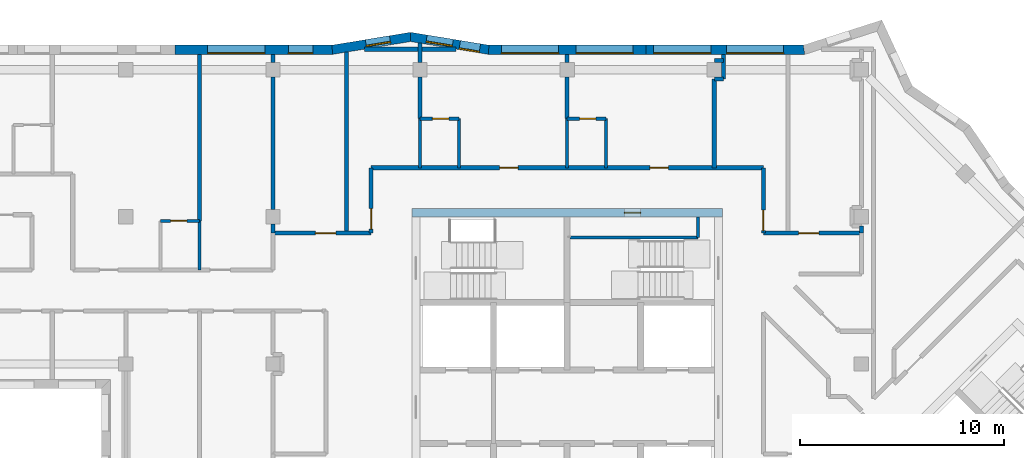
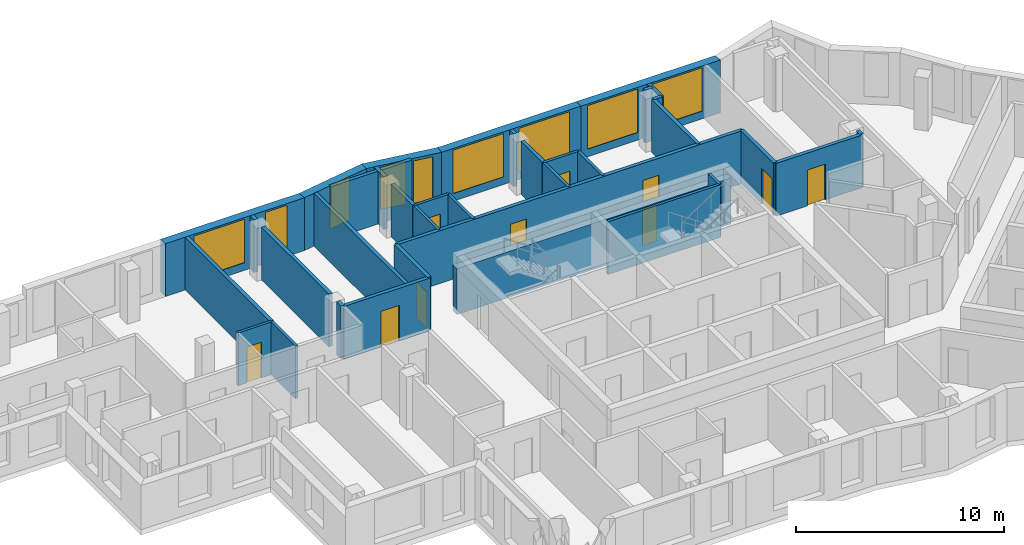
# One storey, part 6 of 11: 36 walls, 10 doors, 9 windows, 19 openings.
"""IFC4 building model written with IfcOpenShell, lengths in metres."""

from ifc_helpers import new_model, si_unit, direction, frame, frame_2d, origin, place, context, subcontext, project, spatial, polyline, rectangle, outline, extrude, material, layer, layer_set, type_object, element, fill, save


model = new_model("IFC4")

# Units and contexts
model_context = context("Model", 3, precision=1e-05, world=origin(), true_north=direction((0.0, 1.0)))
body_context = subcontext(model_context, "Body", "Model", "MODEL_VIEW")
ifc_project = project(units=[si_unit("LENGTHUNIT", "METRE"), si_unit("AREAUNIT", "SQUARE_METRE"), si_unit("VOLUMEUNIT", "CUBIC_METRE"), si_unit("PLANEANGLEUNIT", "RADIAN"), si_unit("MASSUNIT", "GRAM", prefix="KILO")], contexts=[model_context])

# Site, building, storey
site_placement = place(None, origin())
site = spatial("IfcSite", under=ifc_project, at=site_placement, CompositionType="ELEMENT")
building_placement = place(site_placement, origin())
building = spatial("IfcBuilding", under=site, at=building_placement, Name="Windrow Commons", CompositionType="ELEMENT")
storey_placement = place(building_placement, frame((0.0, 0.0, 281.2)))
storey = spatial("IfcBuildingStorey", under=building, at=storey_placement, Name="L77", CompositionType="ELEMENT", Elevation=281.2)

# Wall, openings, windows
ifc_material_1 = material(Name="Brick masonry, red clay brick", Category="masonry")
ifc_layer_1 = layer(ifc_material_1, 0.45)
ifc_layer_set_1 = layer_set([ifc_layer_1], Name="Brick facade wall 450")
wall_type_1 = type_object("IfcWallType", Name="Brick facade wall 450", PredefinedType="SOLIDWALL", material=ifc_layer_set_1)
wall_1_placement = place(storey_placement, frame((76.3933, 72.975, 0.0), z_axis=(0.0, 0.0, 1.0), x_axis=(-1.0, 0.0, 0.0)))
wall_1 = element("IfcWall", 1, at=wall_1_placement, inside=storey, type_object=wall_type_1, Name="Brick facade wall L77 14", PredefinedType="SOLIDWALL", context=body_context, shape_type="SweptSolid", body=[
    extrude(outline(polyline([(0.0352, -0.225), (7.7261, -0.225), (7.7261, 0.225), (-0.0352, 0.225), (0.0352, -0.225)])), origin(), (0.0, 0.0, 1.0), 3.1),
])
opening_1_placement = place(wall_1_placement, frame((0.9933, 0.0, 0.45)))
opening_1 = element("IfcOpeningElement", 2, at=opening_1_placement, cuts=wall_1, Name="Opening W1V", PredefinedType="OPENING", context=body_context, shape_type="SweptSolid", body=[
    extrude(rectangle(XDim=2.8, YDim=2.55, at=frame_2d((1.4, 1.275))), frame((0.0, 0.235, 0.0), z_axis=(0.0, -1.0, 0.0), x_axis=(1.0, 0.0, 0.0)), (0.0, 0.0, 1.0), 0.47),
])
opening_2_placement = place(wall_1_placement, frame((4.5597, 0.0, 0.45)))
opening_2 = element("IfcOpeningElement", 3, at=opening_2_placement, cuts=wall_1, Name="Opening W1V", PredefinedType="OPENING", context=body_context, shape_type="SweptSolid", body=[
    extrude(rectangle(XDim=2.8, YDim=2.55, at=frame_2d((1.4, 1.275))), frame((0.0, 0.235, 0.0), z_axis=(0.0, -1.0, 0.0), x_axis=(1.0, 0.0, 0.0)), (0.0, 0.0, 1.0), 0.47),
])
ifc_material_2 = material(Name="Clear float glass in anodised aluminium frame", Category="aluminium")
window_type_1 = type_object("IfcWindowType", Name="Window W1V bedroom 2800x2550", PartitioningType="SINGLE_PANEL", PredefinedType="WINDOW", material=ifc_material_2)
window_1_placement = place(opening_1_placement, origin())
window_1 = element("IfcWindow", 4, at=window_1_placement, inside=storey, type_object=window_type_1, Name="Window L77 14.1", OverallHeight=2.55, OverallWidth=2.8, PartitioningType="SINGLE_PANEL", PredefinedType="WINDOW", context=body_context, shape_type="SweptSolid", body=[
    extrude(rectangle(XDim=2.8, YDim=2.55, at=frame_2d((1.4, 1.275))), frame((0.0, 0.205, 0.0), z_axis=(0.0, -1.0, 0.0), x_axis=(1.0, 0.0, 0.0)), (0.0, 0.0, 1.0), 0.06),
])
fill(opening_1, window_1)
window_2_placement = place(opening_2_placement, origin())
window_2 = element("IfcWindow", 5, at=window_2_placement, inside=storey, type_object=window_type_1, Name="Window L77 14.2", OverallHeight=2.55, OverallWidth=2.8, PartitioningType="SINGLE_PANEL", PredefinedType="WINDOW", context=body_context, shape_type="SweptSolid", body=[
    extrude(rectangle(XDim=2.8, YDim=2.55, at=frame_2d((1.4, 1.275))), frame((0.0, 0.205, 0.0), z_axis=(0.0, -1.0, 0.0), x_axis=(1.0, 0.0, 0.0)), (0.0, 0.0, 1.0), 0.06),
])
fill(opening_2, window_2)

wall_2_placement = place(storey_placement, frame((68.6672, 72.975, 0.0), z_axis=(0.0, 0.0, 1.0), x_axis=(-1.0, 0.0, 0.0)))
wall_2 = element("IfcWall", 6, at=wall_2_placement, inside=storey, type_object=wall_type_1, Name="Brick facade wall L77 15", PredefinedType="SOLIDWALL", context=body_context, shape_type="SweptSolid", body=[
    extrude(outline(polyline([(0.0, -0.225), (7.6909, -0.225), (7.7277, 0.225), (0.0, 0.225), (0.0, -0.225)])), origin(), (0.0, 0.0, 1.0), 3.1),
])
opening_3_placement = place(wall_2_placement, frame((0.6336, 0.0, 0.45)))
opening_3 = element("IfcOpeningElement", 7, at=opening_3_placement, cuts=wall_2, Name="Opening W1V", PredefinedType="OPENING", context=body_context, shape_type="SweptSolid", body=[
    extrude(rectangle(XDim=2.8, YDim=2.55, at=frame_2d((1.4, 1.275))), frame((0.0, 0.235, 0.0), z_axis=(0.0, -1.0, 0.0), x_axis=(1.0, 0.0, 0.0)), (0.0, 0.0, 1.0), 0.47),
])
opening_4_placement = place(wall_2_placement, frame((4.2883, 0.0, 0.45)))
opening_4 = element("IfcOpeningElement", 8, at=opening_4_placement, cuts=wall_2, Name="Opening W1V", PredefinedType="OPENING", context=body_context, shape_type="SweptSolid", body=[
    extrude(rectangle(XDim=2.8, YDim=2.55, at=frame_2d((1.4, 1.275))), frame((0.0, 0.235, 0.0), z_axis=(0.0, -1.0, 0.0), x_axis=(1.0, 0.0, 0.0)), (0.0, 0.0, 1.0), 0.47),
])
window_3_placement = place(opening_3_placement, origin())
window_3 = element("IfcWindow", 9, at=window_3_placement, inside=storey, type_object=window_type_1, Name="Window L77 15.1", OverallHeight=2.55, OverallWidth=2.8, PartitioningType="SINGLE_PANEL", PredefinedType="WINDOW", context=body_context, shape_type="SweptSolid", body=[
    extrude(rectangle(XDim=2.8, YDim=2.55, at=frame_2d((1.4, 1.275))), frame((0.0, 0.205, 0.0), z_axis=(0.0, -1.0, 0.0), x_axis=(1.0, 0.0, 0.0)), (0.0, 0.0, 1.0), 0.06),
])
fill(opening_3, window_3)
window_4_placement = place(opening_4_placement, origin())
window_4 = element("IfcWindow", 10, at=window_4_placement, inside=storey, type_object=window_type_1, Name="Window L77 15.2", OverallHeight=2.55, OverallWidth=2.8, PartitioningType="SINGLE_PANEL", PredefinedType="WINDOW", context=body_context, shape_type="SweptSolid", body=[
    extrude(rectangle(XDim=2.8, YDim=2.55, at=frame_2d((1.4, 1.275))), frame((0.0, 0.205, 0.0), z_axis=(0.0, -1.0, 0.0), x_axis=(1.0, 0.0, 0.0)), (0.0, 0.0, 1.0), 0.06),
])
fill(opening_4, window_4)

wall_3_placement = place(storey_placement, frame((60.9578, 72.975, 0.0), z_axis=(0.0, 0.0, 1.0), x_axis=(-0.9867194815, 0.1624335703, 0.0)))
wall_3 = element("IfcWall", 11, at=wall_3_placement, inside=storey, type_object=wall_type_1, Name="Brick facade wall L77 16", PredefinedType="SOLIDWALL", context=body_context, shape_type="SweptSolid", body=[
    extrude(outline(polyline([(0.0184, -0.225), (3.9156, -0.225), (3.8415, 0.225), (-0.0184, 0.225), (0.0184, -0.225)])), origin(), (0.0, 0.0, 1.0), 3.1),
])
opening_5_placement = place(wall_3_placement, frame((0.4358, 0.0, 0.45)))
opening_5 = element("IfcOpeningElement", 12, at=opening_5_placement, cuts=wall_3, Name="Opening W1S", PredefinedType="OPENING", context=body_context, shape_type="SweptSolid", body=[
    extrude(rectangle(XDim=1.0, YDim=2.5, at=frame_2d((0.5, 1.25))), frame((0.0, 0.235, 0.0), z_axis=(0.0, -1.0, 0.0), x_axis=(1.0, 0.0, 0.0)), (0.0, 0.0, 1.0), 0.47),
])
opening_6_placement = place(wall_3_placement, frame((1.7858, 0.0, 0.45)))
opening_6 = element("IfcOpeningElement", 13, at=opening_6_placement, cuts=wall_3, Name="Opening W1Q", PredefinedType="OPENING", context=body_context, shape_type="SweptSolid", body=[
    extrude(rectangle(XDim=1.3, YDim=2.5, at=frame_2d((0.65, 1.25))), frame((0.0, 0.235, 0.0), z_axis=(0.0, -1.0, 0.0), x_axis=(1.0, 0.0, 0.0)), (0.0, 0.0, 1.0), 0.47),
])
ifc_material_3 = material(Name="Clear float glass in anodised aluminium frame", Category="aluminium")
window_type_2 = type_object("IfcWindowType", Name="Window W1Q pair 1300x2500", PartitioningType="SINGLE_PANEL", PredefinedType="WINDOW", material=ifc_material_3)
window_5_placement = place(opening_6_placement, origin())
window_5 = element("IfcWindow", 14, at=window_5_placement, inside=storey, type_object=window_type_2, Name="Window L77 16.1B", OverallHeight=2.5, OverallWidth=1.3, PartitioningType="SINGLE_PANEL", PredefinedType="WINDOW", context=body_context, shape_type="SweptSolid", body=[
    extrude(rectangle(XDim=1.3, YDim=2.5, at=frame_2d((0.65, 1.25))), frame((0.0, 0.135, 0.0), z_axis=(0.0, -1.0, 0.0), x_axis=(1.0, 0.0, 0.0)), (0.0, 0.0, 1.0), 0.06),
])
fill(opening_6, window_5)
ifc_material_4 = material(Name="Clear float glass in anodised aluminium frame", Category="aluminium")
window_type_3 = type_object("IfcWindowType", Name="Window W1S slit 1000x2500", PartitioningType="SINGLE_PANEL", PredefinedType="WINDOW", material=ifc_material_4)
window_6_placement = place(opening_5_placement, origin())
window_6 = element("IfcWindow", 15, at=window_6_placement, inside=storey, type_object=window_type_3, Name="Window L77 16.1A", OverallHeight=2.5, OverallWidth=1.0, PartitioningType="SINGLE_PANEL", PredefinedType="WINDOW", context=body_context, shape_type="SweptSolid", body=[
    extrude(rectangle(XDim=1.0, YDim=2.5, at=frame_2d((0.5, 1.25))), frame((0.0, 0.205, 0.0), z_axis=(0.0, -1.0, 0.0), x_axis=(1.0, 0.0, 0.0)), (0.0, 0.0, 1.0), 0.06),
])
fill(opening_5, window_6)

# Wall, opening, window
wall_4_placement = place(storey_placement, frame((57.1308, 73.605, 0.0), z_axis=(0.0, 0.0, 1.0), x_axis=(-0.9867201618, -0.1624294379, 0.0)))
wall_4 = element("IfcWall", 16, at=wall_4_placement, inside=storey, type_object=wall_type_1, Name="Brick facade wall L77 17", PredefinedType="SOLIDWALL", context=body_context, shape_type="SweptSolid", body=[
    extrude(outline(polyline([(-0.037, -0.225), (3.8602, -0.225), (3.897, 0.225), (0.037, 0.225), (-0.037, -0.225)])), origin(), (0.0, 0.0, 1.0), 3.1),
])
opening_7_placement = place(wall_4_placement, frame((1.005, 0.0, 0.45)))
opening_7 = element("IfcOpeningElement", 17, at=opening_7_placement, cuts=wall_4, Name="Opening W7F", PredefinedType="OPENING", context=body_context, shape_type="SweptSolid", body=[
    extrude(rectangle(XDim=1.2, YDim=2.55, at=frame_2d((0.6, 1.275))), frame((0.0, 0.235, 0.0), z_axis=(0.0, -1.0, 0.0), x_axis=(1.0, 0.0, 0.0)), (0.0, 0.0, 1.0), 0.47),
])
ifc_material_5 = material(Name="Clear float glass in anodised aluminium frame", Category="aluminium")
window_type_4 = type_object("IfcWindowType", Name="Window W7 notch 1200x2550", PartitioningType="SINGLE_PANEL", PredefinedType="WINDOW", material=ifc_material_5)
window_7_placement = place(opening_7_placement, origin())
window_7 = element("IfcWindow", 18, at=window_7_placement, inside=storey, type_object=window_type_4, Name="Window L77 17.1", OverallHeight=2.55, OverallWidth=1.2, PartitioningType="SINGLE_PANEL", PredefinedType="WINDOW", context=body_context, shape_type="SweptSolid", body=[
    extrude(rectangle(XDim=1.2, YDim=2.55, at=frame_2d((0.6, 1.275))), frame((0.0, 0.115, 0.0), z_axis=(0.0, -1.0, 0.0), x_axis=(1.0, 0.0, 0.0)), (0.0, 0.0, 1.0), 0.06),
])
fill(opening_7, window_7)

# Wall, openings, windows
wall_5_placement = place(storey_placement, frame((53.3037, 72.975, 0.0), z_axis=(0.0, 0.0, 1.0), x_axis=(-1.0, 0.0, 0.0)))
wall_5 = element("IfcWall", 19, at=wall_5_placement, inside=storey, type_object=wall_type_1, Name="Brick facade wall L77 18", PredefinedType="SOLIDWALL", context=body_context, shape_type="SweptSolid", body=[
    extrude(outline(polyline([(0.0184, -0.225), (7.7093, -0.225), (7.7093, 0.225), (-0.0184, 0.225), (0.0184, -0.225)])), origin(), (0.0, 0.0, 1.0), 3.1),
])
opening_8_placement = place(wall_5_placement, frame((3.3037, 0.0, 0.45)))
opening_8 = element("IfcOpeningElement", 20, at=opening_8_placement, cuts=wall_5, Name="Opening W1V", PredefinedType="OPENING", context=body_context, shape_type="SweptSolid", body=[
    extrude(rectangle(XDim=2.8, YDim=2.55, at=frame_2d((1.4, 1.275))), frame((0.0, 0.235, 0.0), z_axis=(0.0, -1.0, 0.0), x_axis=(1.0, 0.0, 0.0)), (0.0, 0.0, 1.0), 0.47),
])
opening_9_placement = place(wall_5_placement, frame((0.9518, 0.0, 0.45)))
opening_9 = element("IfcOpeningElement", 21, at=opening_9_placement, cuts=wall_5, Name="Opening W7F", PredefinedType="OPENING", context=body_context, shape_type="SweptSolid", body=[
    extrude(rectangle(XDim=1.2, YDim=2.55, at=frame_2d((0.6, 1.275))), frame((0.0, 0.235, 0.0), z_axis=(0.0, -1.0, 0.0), x_axis=(1.0, 0.0, 0.0)), (0.0, 0.0, 1.0), 0.47),
])
window_8_placement = place(opening_8_placement, origin())
window_8 = element("IfcWindow", 22, at=window_8_placement, inside=storey, type_object=window_type_1, Name="Window L77 18.1", OverallHeight=2.55, OverallWidth=2.8, PartitioningType="SINGLE_PANEL", PredefinedType="WINDOW", context=body_context, shape_type="SweptSolid", body=[
    extrude(rectangle(XDim=2.8, YDim=2.55, at=frame_2d((1.4, 1.275))), frame((0.0, 0.205, 0.0), z_axis=(0.0, -1.0, 0.0), x_axis=(1.0, 0.0, 0.0)), (0.0, 0.0, 1.0), 0.06),
])
fill(opening_8, window_8)
window_9_placement = place(opening_9_placement, origin())
window_9 = element("IfcWindow", 23, at=window_9_placement, inside=storey, type_object=window_type_4, Name="Window L77 18.2", OverallHeight=2.55, OverallWidth=1.2, PartitioningType="SINGLE_PANEL", PredefinedType="WINDOW", context=body_context, shape_type="SweptSolid", body=[
    extrude(rectangle(XDim=1.2, YDim=2.55, at=frame_2d((0.6, 1.275))), frame((0.0, 0.205, 0.0), z_axis=(0.0, -1.0, 0.0), x_axis=(1.0, 0.0, 0.0)), (0.0, 0.0, 1.0), 0.06),
])
fill(opening_9, window_9)

# Wall, openings, doors
ifc_material_6 = material(Name="Blockwork partition", Category="masonry")
ifc_layer_2 = layer(ifc_material_6, 0.2)
ifc_layer_set_2 = layer_set([ifc_layer_2], Name="IW-CORRIDOR-200")
wall_type_2 = type_object("IfcWallType", Name="IW-CORRIDOR-200", PredefinedType="PARTITIONING", material=ifc_layer_set_2)
wall_6_placement = place(storey_placement, frame((55.2, 67.2, 0.0), z_axis=(0.0, 0.0, 1.0), x_axis=(1.0, 0.0, 0.0)))
wall_6 = element("IfcWall", 24, at=wall_6_placement, inside=storey, type_object=wall_type_2, Name="W-L77-W000", PredefinedType="PARTITIONING", context=body_context, shape_type="SweptSolid", body=[
    extrude(rectangle(XDim=19.2, YDim=0.2, at=frame_2d((9.6, 0.0))), origin(), (0.0, 0.0, 1.0), 3.1),
])
opening_10_placement = place(wall_6_placement, frame((6.2994, 0.0, 0.0)))
opening_10 = element("IfcOpeningElement", 25, at=opening_10_placement, cuts=wall_6, Name="Opening D109F", PredefinedType="OPENING", context=body_context, shape_type="SweptSolid", body=[
    extrude(rectangle(XDim=0.9, YDim=2.1, at=frame_2d((0.45, 1.05))), frame((0.0, 0.11, 0.0), z_axis=(0.0, -1.0, 0.0), x_axis=(1.0, 0.0, 0.0)), (0.0, 0.0, 1.0), 0.22),
])
opening_11_placement = place(wall_6_placement, frame((13.65, 0.0, 0.0)))
opening_11 = element("IfcOpeningElement", 26, at=opening_11_placement, cuts=wall_6, Name="Opening D109F", PredefinedType="OPENING", context=body_context, shape_type="SweptSolid", body=[
    extrude(rectangle(XDim=0.9, YDim=2.1, at=frame_2d((0.45, 1.05))), frame((0.0, 0.11, 0.0), z_axis=(0.0, -1.0, 0.0), x_axis=(1.0, 0.0, 0.0)), (0.0, 0.0, 1.0), 0.22),
])
ifc_material_7 = material(Name="Timber door leaf", Category="wood")
door_type_1 = type_object("IfcDoorType", Name="DT-BEDROOM-900", OperationType="SINGLE_SWING_LEFT", PredefinedType="DOOR", material=ifc_material_7)
door_1_placement = place(opening_10_placement, origin())
door_1 = element("IfcDoor", 27, at=door_1_placement, inside=storey, type_object=door_type_1, Name="D-L77-D010", OperationType="SINGLE_SWING_RIGHT", OverallHeight=2.1, OverallWidth=0.9, PredefinedType="DOOR", context=body_context, shape_type="SweptSolid", body=[
    extrude(rectangle(XDim=0.9, YDim=2.1, at=frame_2d((0.45, 1.05))), frame((0.0, 0.025, 0.0), z_axis=(0.0, -1.0, 0.0), x_axis=(1.0, 0.0, 0.0)), (0.0, 0.0, 1.0), 0.05),
])
fill(opening_10, door_1)
door_2_placement = place(opening_11_placement, origin())
door_2 = element("IfcDoor", 28, at=door_2_placement, inside=storey, type_object=door_type_1, Name="D-L77-D012", OperationType="SINGLE_SWING_RIGHT", OverallHeight=2.1, OverallWidth=0.9, PredefinedType="DOOR", context=body_context, shape_type="SweptSolid", body=[
    extrude(rectangle(XDim=0.9, YDim=2.1, at=frame_2d((0.45, 1.05))), frame((0.0, 0.025, 0.0), z_axis=(0.0, -1.0, 0.0), x_axis=(1.0, 0.0, 0.0)), (0.0, 0.0, 1.0), 0.05),
])
fill(opening_11, door_2)

# Wall, opening, door
wall_7_placement = place(storey_placement, frame((50.4, 64.0, 0.0), z_axis=(0.0, 0.0, 1.0), x_axis=(1.0, 0.0, 0.0)))
wall_7 = element("IfcWall", 29, at=wall_7_placement, inside=storey, type_object=wall_type_2, Name="W-L77-W031", PredefinedType="PARTITIONING", context=body_context, shape_type="SweptSolid", body=[
    extrude(rectangle(XDim=4.8, YDim=0.2, at=frame_2d((2.4, 0.0))), origin(), (0.0, 0.0, 1.0), 3.1),
])
opening_12_placement = place(wall_7_placement, frame((2.075, 0.0, 0.0)))
opening_12 = element("IfcOpeningElement", 30, at=opening_12_placement, cuts=wall_7, Name="Opening D310F", PredefinedType="OPENING", context=body_context, shape_type="SweptSolid", body=[
    extrude(rectangle(XDim=1.0, YDim=2.1, at=frame_2d((0.5, 1.05))), frame((0.0, 0.11, 0.0), z_axis=(0.0, -1.0, 0.0), x_axis=(1.0, 0.0, 0.0)), (0.0, 0.0, 1.0), 0.22),
])
ifc_material_8 = material(Name="Timber door leaf", Category="wood")
door_type_2 = type_object("IfcDoorType", Name="DT-AMENITY-1000", OperationType="SINGLE_SWING_LEFT", PredefinedType="DOOR", material=ifc_material_8)
door_3_placement = place(opening_12_placement, origin())
door_3 = element("IfcDoor", 31, at=door_3_placement, inside=storey, type_object=door_type_2, Name="D-L77-D003", OperationType="SINGLE_SWING_RIGHT", OverallHeight=2.1, OverallWidth=1.0, PredefinedType="DOOR", context=body_context, shape_type="SweptSolid", body=[
    extrude(rectangle(XDim=1.0, YDim=2.1, at=frame_2d((0.5, 1.05))), frame((0.0, 0.025, 0.0), z_axis=(0.0, -1.0, 0.0), x_axis=(1.0, 0.0, 0.0)), (0.0, 0.0, 1.0), 0.05),
])
fill(opening_12, door_3)

wall_8_placement = place(storey_placement, frame((74.402, 64.0, 0.0), z_axis=(0.0, 0.0, 1.0), x_axis=(1.0, 0.0, 0.0)))
wall_8 = element("IfcWall", 32, at=wall_8_placement, inside=storey, type_object=wall_type_2, Name="W-L77-W034", PredefinedType="PARTITIONING", context=body_context, shape_type="SweptSolid", body=[
    extrude(rectangle(XDim=4.798, YDim=0.2, at=frame_2d((2.399, 0.0))), origin(), (0.0, 0.0, 1.0), 3.1),
])
opening_13_placement = place(wall_8_placement, frame((1.723, 0.0, 0.0)))
opening_13 = element("IfcOpeningElement", 33, at=opening_13_placement, cuts=wall_8, Name="Opening D310F", PredefinedType="OPENING", context=body_context, shape_type="SweptSolid", body=[
    extrude(rectangle(XDim=1.0, YDim=2.1, at=frame_2d((0.5, 1.05))), frame((0.0, 0.11, 0.0), z_axis=(0.0, -1.0, 0.0), x_axis=(1.0, 0.0, 0.0)), (0.0, 0.0, 1.0), 0.22),
])
door_4_placement = place(opening_13_placement, origin())
door_4 = element("IfcDoor", 34, at=door_4_placement, inside=storey, type_object=door_type_2, Name="D-L77-D006", OperationType="SINGLE_SWING_LEFT", OverallHeight=2.1, OverallWidth=1.0, PredefinedType="DOOR", context=body_context, shape_type="SweptSolid", body=[
    extrude(rectangle(XDim=1.0, YDim=2.1, at=frame_2d((0.5, 1.05))), frame((0.0, 0.025, 0.0), z_axis=(0.0, -1.0, 0.0), x_axis=(1.0, 0.0, 0.0)), (0.0, 0.0, 1.0), 0.05),
])
fill(opening_13, door_4)

wall_9_placement = place(storey_placement, frame((55.2, 64.002, 0.0), z_axis=(0.0, 0.0, 1.0), x_axis=(0.0, 1.0, 0.0)))
wall_9 = element("IfcWall", 35, at=wall_9_placement, inside=storey, type_object=wall_type_2, Name="W-L77-W049", PredefinedType="PARTITIONING", context=body_context, shape_type="SweptSolid", body=[
    extrude(rectangle(XDim=3.198, YDim=0.2, at=frame_2d((1.599, 0.0))), origin(), (0.0, 0.0, 1.0), 3.1),
])
opening_14_placement = place(wall_9_placement, frame((0.1937, 0.0, 0.0)))
opening_14 = element("IfcOpeningElement", 36, at=opening_14_placement, cuts=wall_9, Name="Opening D310F", PredefinedType="OPENING", context=body_context, shape_type="SweptSolid", body=[
    extrude(rectangle(XDim=1.0, YDim=2.1, at=frame_2d((0.5, 1.05))), frame((0.0, 0.11, 0.0), z_axis=(0.0, -1.0, 0.0), x_axis=(1.0, 0.0, 0.0)), (0.0, 0.0, 1.0), 0.22),
])
door_5_placement = place(opening_14_placement, origin())
door_5 = element("IfcDoor", 37, at=door_5_placement, inside=storey, type_object=door_type_2, Name="D-L77-D004", OperationType="SINGLE_SWING_LEFT", OverallHeight=2.1, OverallWidth=1.0, PredefinedType="DOOR", context=body_context, shape_type="SweptSolid", body=[
    extrude(rectangle(XDim=1.0, YDim=2.1, at=frame_2d((0.5, 1.05))), frame((0.0, 0.025, 0.0), z_axis=(0.0, -1.0, 0.0), x_axis=(1.0, 0.0, 0.0)), (0.0, 0.0, 1.0), 0.05),
])
fill(opening_14, door_5)

wall_10_placement = place(storey_placement, frame((74.4, 64.002, 0.0), z_axis=(0.0, 0.0, 1.0), x_axis=(0.0, 1.0, 0.0)))
wall_10 = element("IfcWall", 38, at=wall_10_placement, inside=storey, type_object=wall_type_2, Name="W-L77-W050", PredefinedType="PARTITIONING", context=body_context, shape_type="SweptSolid", body=[
    extrude(rectangle(XDim=3.198, YDim=0.2, at=frame_2d((1.599, 0.0))), origin(), (0.0, 0.0, 1.0), 3.1),
])
opening_15_placement = place(wall_10_placement, frame((0.1273, 0.0, 0.0)))
opening_15 = element("IfcOpeningElement", 39, at=opening_15_placement, cuts=wall_10, Name="Opening D310F", PredefinedType="OPENING", context=body_context, shape_type="SweptSolid", body=[
    extrude(rectangle(XDim=1.0, YDim=2.1, at=frame_2d((0.5, 1.05))), frame((0.0, 0.11, 0.0), z_axis=(0.0, -1.0, 0.0), x_axis=(1.0, 0.0, 0.0)), (0.0, 0.0, 1.0), 0.22),
])
door_6_placement = place(opening_15_placement, origin())
door_6 = element("IfcDoor", 40, at=door_6_placement, inside=storey, type_object=door_type_2, Name="D-L77-D005", OperationType="SINGLE_SWING_RIGHT", OverallHeight=2.1, OverallWidth=1.0, PredefinedType="DOOR", context=body_context, shape_type="SweptSolid", body=[
    extrude(rectangle(XDim=1.0, YDim=2.1, at=frame_2d((0.5, 1.05))), frame((0.0, 0.025, 0.0), z_axis=(0.0, -1.0, 0.0), x_axis=(1.0, 0.0, 0.0)), (0.0, 0.0, 1.0), 0.05),
])
fill(opening_15, door_6)

# Walls
ifc_material_9 = material(Name="Blockwork partition", Category="masonry")
ifc_layer_3 = layer(ifc_material_9, 0.15)
ifc_layer_set_3 = layer_set([ifc_layer_3], Name="IW-ENSUITE-150")
wall_type_3 = type_object("IfcWallType", Name="IW-ENSUITE-150", PredefinedType="PARTITIONING", material=ifc_layer_set_3)
for number, where, z_axis, x_axis, name in (
    (41, (46.8, 62.2, 0.0), (0.0, 0.0, 1.0), (0.0, 1.0, 0.0), "W-L77-W070"),
    (42, (57.6, 67.2, 0.0), (0.0, 0.0, 1.0), (0.0, 1.0, 0.0), "W-L77-W071"),
    (43, (59.5, 67.2, 0.0), (0.0, 0.0, 1.0), (0.0, 1.0, 0.0), "W-L77-W072"),
    (44, (64.8, 67.2, 0.0), (0.0, 0.0, 1.0), (0.0, 1.0, 0.0), "W-L77-W073"),
    (45, (66.7, 67.2, 0.0), (0.0, 0.0, 1.0), (0.0, 1.0, 0.0), "W-L77-W074"),
):
    element("IfcWall", number, at=place(storey_placement, frame(where, z_axis=z_axis, x_axis=x_axis)), inside=storey, type_object=wall_type_3, Name=name, PredefinedType="PARTITIONING", context=body_context, shape_type="SweptSolid", body=[
        extrude(rectangle(XDim=2.4, YDim=0.15, at=frame_2d((1.2, 0.0))), origin(), (0.0, 0.0, 1.0), 3.1),
    ])

# Wall, opening, door
wall_11_placement = place(storey_placement, frame((64.8, 69.6, 0.0), z_axis=(0.0, 0.0, 1.0), x_axis=(1.0, 0.0, 0.0)))
wall_11 = element("IfcWall", 46, at=wall_11_placement, inside=storey, type_object=wall_type_3, Name="W-L77-W094", PredefinedType="PARTITIONING", context=body_context, shape_type="SweptSolid", body=[
    extrude(rectangle(XDim=1.9, YDim=0.15, at=frame_2d((0.95, 0.0))), origin(), (0.0, 0.0, 1.0), 3.1),
])
opening_16_placement = place(wall_11_placement, frame((0.6069, 0.0, 0.0)))
opening_16 = element("IfcOpeningElement", 47, at=opening_16_placement, cuts=wall_11, Name="Opening D208N", PredefinedType="OPENING", context=body_context, shape_type="SweptSolid", body=[
    extrude(rectangle(XDim=0.8, YDim=2.1, at=frame_2d((0.4, 1.05))), frame((0.0, 0.085, 0.0), z_axis=(0.0, -1.0, 0.0), x_axis=(1.0, 0.0, 0.0)), (0.0, 0.0, 1.0), 0.17),
])
ifc_material_10 = material(Name="Timber door leaf", Category="wood")
door_type_3 = type_object("IfcDoorType", Name="DT-ENSUITE-800", OperationType="SINGLE_SWING_LEFT", PredefinedType="DOOR", material=ifc_material_10)
door_7_placement = place(opening_16_placement, origin())
door_7 = element("IfcDoor", 48, at=door_7_placement, inside=storey, type_object=door_type_3, Name="D-L77-D013", OperationType="SINGLE_SWING_RIGHT", OverallHeight=2.1, OverallWidth=0.8, PredefinedType="DOOR", context=body_context, shape_type="SweptSolid", body=[
    extrude(rectangle(XDim=0.8, YDim=2.1, at=frame_2d((0.4, 1.05))), frame((0.0, 0.025, 0.0), z_axis=(0.0, -1.0, 0.0), x_axis=(1.0, 0.0, 0.0)), (0.0, 0.0, 1.0), 0.05),
])
fill(opening_16, door_7)

wall_12_placement = place(storey_placement, frame((44.9, 64.6, 0.0), z_axis=(0.0, 0.0, 1.0), x_axis=(1.0, 0.0, 0.0)))
wall_12 = element("IfcWall", 49, at=wall_12_placement, inside=storey, type_object=wall_type_3, Name="W-L77-W096", PredefinedType="PARTITIONING", context=body_context, shape_type="SweptSolid", body=[
    extrude(rectangle(XDim=1.9, YDim=0.15, at=frame_2d((0.95, 0.0))), origin(), (0.0, 0.0, 1.0), 3.1),
])
opening_17_placement = place(wall_12_placement, frame((0.4931, 0.0, 0.0)))
opening_17 = element("IfcOpeningElement", 50, at=opening_17_placement, cuts=wall_12, Name="Opening D208N", PredefinedType="OPENING", context=body_context, shape_type="SweptSolid", body=[
    extrude(rectangle(XDim=0.8, YDim=2.1, at=frame_2d((0.4, 1.05))), frame((0.0, 0.085, 0.0), z_axis=(0.0, -1.0, 0.0), x_axis=(1.0, 0.0, 0.0)), (0.0, 0.0, 1.0), 0.17),
])
door_8_placement = place(opening_17_placement, origin())
door_8 = element("IfcDoor", 51, at=door_8_placement, inside=storey, type_object=door_type_3, Name="D-L77-D019", OperationType="SINGLE_SWING_RIGHT", OverallHeight=2.1, OverallWidth=0.8, PredefinedType="DOOR", context=body_context, shape_type="SweptSolid", body=[
    extrude(rectangle(XDim=0.8, YDim=2.1, at=frame_2d((0.4, 1.05))), frame((0.0, 0.025, 0.0), z_axis=(0.0, -1.0, 0.0), x_axis=(1.0, 0.0, 0.0)), (0.0, 0.0, 1.0), 0.05),
])
fill(opening_17, door_8)

wall_13_placement = place(storey_placement, frame((57.6, 69.6, 0.0), z_axis=(0.0, 0.0, 1.0), x_axis=(1.0, 0.0, 0.0)))
wall_13 = element("IfcWall", 52, at=wall_13_placement, inside=storey, type_object=wall_type_3, Name="W-L77-W097", PredefinedType="PARTITIONING", context=body_context, shape_type="SweptSolid", body=[
    extrude(rectangle(XDim=1.9, YDim=0.15, at=frame_2d((0.95, 0.0))), origin(), (0.0, 0.0, 1.0), 3.1),
])
opening_18_placement = place(wall_13_placement, frame((0.6069, 0.0, 0.0)))
opening_18 = element("IfcOpeningElement", 53, at=opening_18_placement, cuts=wall_13, Name="Opening D208N", PredefinedType="OPENING", context=body_context, shape_type="SweptSolid", body=[
    extrude(rectangle(XDim=0.8, YDim=2.1, at=frame_2d((0.4, 1.05))), frame((0.0, 0.085, 0.0), z_axis=(0.0, -1.0, 0.0), x_axis=(1.0, 0.0, 0.0)), (0.0, 0.0, 1.0), 0.17),
])
door_9_placement = place(opening_18_placement, origin())
door_9 = element("IfcDoor", 54, at=door_9_placement, inside=storey, type_object=door_type_3, Name="D-L77-D011", OperationType="SINGLE_SWING_RIGHT", OverallHeight=2.1, OverallWidth=0.8, PredefinedType="DOOR", context=body_context, shape_type="SweptSolid", body=[
    extrude(rectangle(XDim=0.8, YDim=2.1, at=frame_2d((0.4, 1.05))), frame((0.0, 0.025, 0.0), z_axis=(0.0, -1.0, 0.0), x_axis=(1.0, 0.0, 0.0)), (0.0, 0.0, 1.0), 0.05),
])
fill(opening_18, door_9)

# Walls
ifc_material_11 = material(Name="Blockwork partition", Category="masonry")
ifc_layer_4 = layer(ifc_material_11, 0.2)
ifc_layer_set_4 = layer_set([ifc_layer_4], Name="IW-PARTY-200")
wall_type_4 = type_object("IfcWallType", Name="IW-PARTY-200", PredefinedType="PARTITIONING", material=ifc_layer_set_4)
wall_14_placement = place(storey_placement, frame((54.0, 64.0, 0.0), z_axis=(0.0, 0.0, 1.0), x_axis=(0.0, 1.0, 0.0)))
element("IfcWall", 55, at=wall_14_placement, inside=storey, type_object=wall_type_4, Name="W-L77-W009", PredefinedType="PARTITIONING", context=body_context, shape_type="SweptSolid", body=[
    extrude(rectangle(XDim=8.8616, YDim=0.2, at=frame_2d((4.4308, 0.0))), origin(), (0.0, 0.0, 1.0), 3.1),
])
wall_15_placement = place(storey_placement, frame((46.8, 64.6, 0.0), z_axis=(0.0, 0.0, 1.0), x_axis=(0.0, 1.0, 0.0)))
element("IfcWall", 56, at=wall_15_placement, inside=storey, type_object=wall_type_4, Name="W-L77-W016", PredefinedType="PARTITIONING", context=body_context, shape_type="SweptSolid", body=[
    extrude(rectangle(XDim=8.15, YDim=0.2, at=frame_2d((4.075, 0.0))), origin(), (0.0, 0.0, 1.0), 3.1),
])
wall_16_placement = place(storey_placement, frame((50.4, 65.15, 0.0), z_axis=(0.0, 0.0, 1.0), x_axis=(0.0, 1.0, 0.0)))
element("IfcWall", 57, at=wall_16_placement, inside=storey, type_object=wall_type_4, Name="W-L77-W022", PredefinedType="PARTITIONING", context=body_context, shape_type="SweptSolid", body=[
    extrude(rectangle(XDim=6.5, YDim=0.2, at=frame_2d((3.25, 0.0))), origin(), (0.0, 0.0, 1.0), 3.1),
])
wall_17_placement = place(storey_placement, frame((54.8908, 73.0, 0.0), z_axis=(0.0, 0.0, 1.0), x_axis=(1.0, 0.0, 0.0)))
element("IfcWall", 58, at=wall_17_placement, inside=storey, type_object=wall_type_4, Name="W-L77-W038", PredefinedType="PARTITIONING", context=body_context, shape_type="SweptSolid", body=[
    extrude(rectangle(XDim=4.4799, YDim=0.2, at=frame_2d((2.2399, 0.0))), origin(), (0.0, 0.0, 1.0), 3.1),
])
wall_18_placement = place(storey_placement, frame((72.0, 67.2, 0.0), z_axis=(0.0, 0.0, 1.0), x_axis=(0.0, 1.0, 0.0)))
element("IfcWall", 59, at=wall_18_placement, inside=storey, type_object=wall_type_4, Name="W-L77-W041", PredefinedType="PARTITIONING", context=body_context, shape_type="SweptSolid", body=[
    extrude(rectangle(XDim=4.346, YDim=0.2, at=frame_2d((2.173, 0.0))), origin(), (0.0, 0.0, 1.0), 3.1),
])
for number, where, z_axis, x_axis, name in (
    (60, (57.6, 69.6, 0.0), (0.0, 0.0, 1.0), (0.0, 1.0, 0.0), "W-L77-W082"),
    (61, (64.8, 69.6, 0.0), (0.0, 0.0, 1.0), (0.0, 1.0, 0.0), "W-L77-W083"),
):
    element("IfcWall", number, at=place(storey_placement, frame(where, z_axis=z_axis, x_axis=x_axis)), inside=storey, type_object=wall_type_4, Name=name, PredefinedType="PARTITIONING", context=body_context, shape_type="SweptSolid", body=[
        extrude(rectangle(XDim=2.05, YDim=0.2, at=frame_2d((1.025, 0.0))), origin(), (0.0, 0.0, 1.0), 3.1),
    ])
wall_19_placement = place(storey_placement, frame((72.45, 71.546, 0.0), z_axis=(0.0, 0.0, 1.0), x_axis=(0.0, 1.0, 0.0)))
element("IfcWall", 62, at=wall_19_placement, inside=storey, type_object=wall_type_4, Name="W-L77-W111", PredefinedType="PARTITIONING", context=body_context, shape_type="SweptSolid", body=[
    extrude(rectangle(XDim=1.204, YDim=0.2, at=frame_2d((0.602, 0.0))), origin(), (0.0, 0.0, 1.0), 3.1),
])
wall_20_placement = place(storey_placement, frame((57.6, 72.35, 0.0), z_axis=(0.0, 0.0, 1.0), x_axis=(0.0, 1.0, 0.0)))
element("IfcWall", 63, at=wall_20_placement, inside=storey, type_object=wall_type_4, Name="W-L77-W125", PredefinedType="PARTITIONING", context=body_context, shape_type="SweptSolid", body=[
    extrude(rectangle(XDim=0.9497, YDim=0.2, at=frame_2d((0.4748, 0.0))), origin(), (0.0, 0.0, 1.0), 3.1),
])
for number, where, z_axis, x_axis, name in (
    (64, (50.4, 64.0, 0.0), (0.0, 0.0, 1.0), (0.0, 1.0, 0.0), "W-L77-W131"),
    (65, (72.0, 71.55, 0.0), (0.0, 0.0, 1.0), (1.0, 0.0, 0.0), "W-L77-W134"),
    (66, (72.0, 72.45, 0.0), (0.0, 0.0, 1.0), (1.0, 0.0, 0.0), "W-L77-W136"),
):
    element("IfcWall", number, at=place(storey_placement, frame(where, z_axis=z_axis, x_axis=x_axis)), inside=storey, type_object=wall_type_4, Name=name, PredefinedType="PARTITIONING", context=body_context, shape_type="SweptSolid", body=[
        extrude(rectangle(XDim=0.45, YDim=0.2, at=frame_2d((0.225, 0.0))), origin(), (0.0, 0.0, 1.0), 3.1),
    ])
for number, where, z_axis, x_axis, name in (
    (67, (50.4, 72.35, 0.0), (0.0, 0.0, 1.0), (0.0, 1.0, 0.0), "W-L77-W140"),
    (68, (64.8, 72.35, 0.0), (0.0, 0.0, 1.0), (0.0, 1.0, 0.0), "W-L77-W141"),
):
    element("IfcWall", number, at=place(storey_placement, frame(where, z_axis=z_axis, x_axis=x_axis)), inside=storey, type_object=wall_type_4, Name=name, PredefinedType="PARTITIONING", context=body_context, shape_type="SweptSolid", body=[
        extrude(rectangle(XDim=0.4, YDim=0.2, at=frame_2d((0.2, 0.0))), origin(), (0.0, 0.0, 1.0), 3.1),
    ])
wall_21_placement = place(storey_placement, frame((79.2, 64.0, 0.0), z_axis=(0.0, 0.0, 1.0), x_axis=(0.0, 1.0, 0.0)))
element("IfcWall", 69, at=wall_21_placement, inside=storey, type_object=wall_type_4, Name="W-L77-W146", PredefinedType="PARTITIONING", context=body_context, shape_type="SweptSolid", body=[
    extrude(rectangle(XDim=0.346, YDim=0.2, at=frame_2d((0.173, 0.0))), origin(), (0.0, 0.0, 1.0), 3.1),
])

# Wall, opening, door
ifc_material_12 = material(Name="Concrete C40/50", Category="concrete")
ifc_layer_5 = layer(ifc_material_12, 0.4)
ifc_layer_set_5 = layer_set([ifc_layer_5], Name="RC CORE WALL 400 C40/50")
wall_type_5 = type_object("IfcWallType", Name="RC CORE WALL 400 C40/50", PredefinedType="SHEAR", material=ifc_layer_set_5)
wall_22_placement = place(storey_placement, frame((57.2, 65.0, -0.3), z_axis=(0.0, 0.0, 1.0), x_axis=(1.0, 0.0, 0.0)))
wall_22 = element("IfcWall", 70, at=wall_22_placement, inside=storey, type_object=wall_type_5, Name="Core A wall outer-N", PredefinedType="SHEAR", context=body_context, shape_type="SweptSolid", body=[
    extrude(rectangle(XDim=15.2, YDim=0.4, at=frame_2d((7.6, 0.0))), origin(), (0.0, 0.0, 1.0), 2.7),
])
opening_19_placement = place(wall_22_placement, frame((10.4, 0.0, 0.3)))
opening_19 = element("IfcOpeningElement", 71, at=opening_19_placement, cuts=wall_22, Name="Opening D9", PredefinedType="OPENING", context=body_context, shape_type="SweptSolid", body=[
    extrude(rectangle(XDim=0.8, YDim=2.1, at=frame_2d((0.4, 1.05))), frame((0.0, 0.21, 0.0), z_axis=(0.0, -1.0, 0.0), x_axis=(1.0, 0.0, 0.0)), (0.0, 0.0, 1.0), 0.42),
])
ifc_material_13 = material(Name="Steel fire door leaf", Category="steel")
door_type_4 = type_object("IfcDoorType", Name="Riser access door 800", OperationType="SINGLE_SWING_LEFT", PredefinedType="DOOR", material=ifc_material_13)
door_10_placement = place(opening_19_placement, origin())
door_10 = element("IfcDoor", 72, at=door_10_placement, inside=storey, type_object=door_type_4, Name="Riser access door", OperationType="SINGLE_SWING_RIGHT", OverallHeight=2.1, OverallWidth=0.8, PredefinedType="DOOR", context=body_context, shape_type="SweptSolid", body=[
    extrude(rectangle(XDim=0.8, YDim=2.1, at=frame_2d((0.4, 1.05))), frame((0.0, 0.025, 0.0), z_axis=(0.0, -1.0, 0.0), x_axis=(1.0, 0.0, 0.0)), (0.0, 0.0, 1.0), 0.05),
])
fill(opening_19, door_10)

# Walls
ifc_material_14 = material(Name="Blockwork partition", Category="masonry")
ifc_layer_6 = layer(ifc_material_14, 0.15)
ifc_layer_set_6 = layer_set([ifc_layer_6], Name="Riser partition 150")
wall_type_6 = type_object("IfcWallType", Name="Riser partition 150", PredefinedType="PARTITIONING", material=ifc_layer_set_6)
wall_23_placement = place(storey_placement, frame((64.95, 63.78, 0.0), z_axis=(0.0, 0.0, 1.0), x_axis=(1.0, 0.0, 0.0)))
element("IfcWall", 73, at=wall_23_placement, inside=storey, type_object=wall_type_6, Name="W-core-strip-A-L77", PredefinedType="PARTITIONING", context=body_context, shape_type="SweptSolid", body=[
    extrude(rectangle(XDim=6.25, YDim=0.15, at=frame_2d((3.125, 0.0))), origin(), (0.0, 0.0, 1.0), 3.1),
])
wall_24_placement = place(storey_placement, frame((71.2, 63.78, 0.0), z_axis=(0.0, 0.0, 1.0), x_axis=(0.0, 1.0, 0.0)))
element("IfcWall", 74, at=wall_24_placement, inside=storey, type_object=wall_type_6, Name="W-core-stripx-A-L77-1", PredefinedType="PARTITIONING", context=body_context, shape_type="SweptSolid", body=[
    extrude(rectangle(XDim=1.02, YDim=0.15, at=frame_2d((0.51, 0.0))), origin(), (0.0, 0.0, 1.0), 3.1),
])

save(model, "model.ifc")
